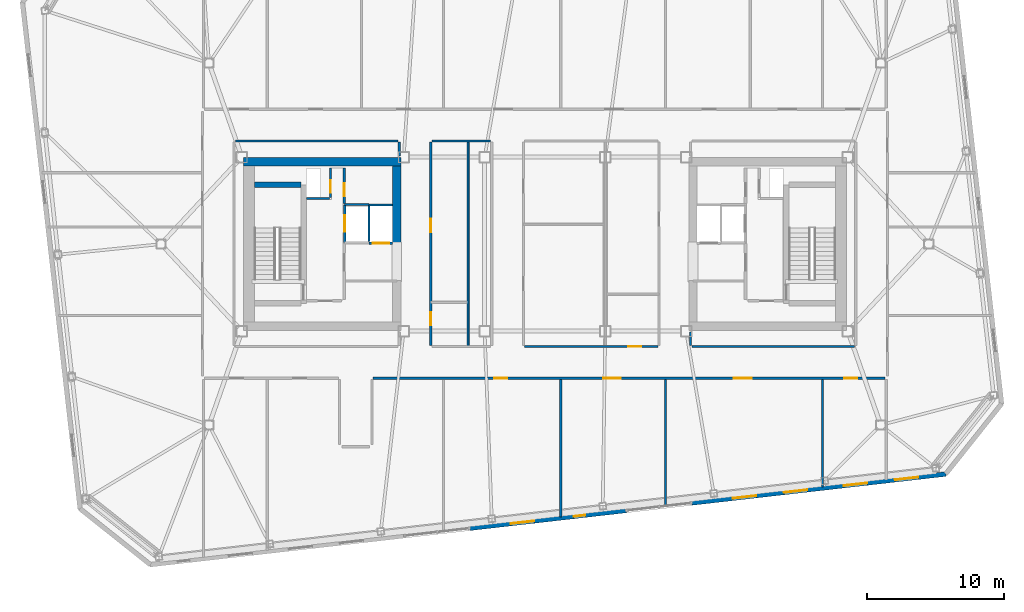
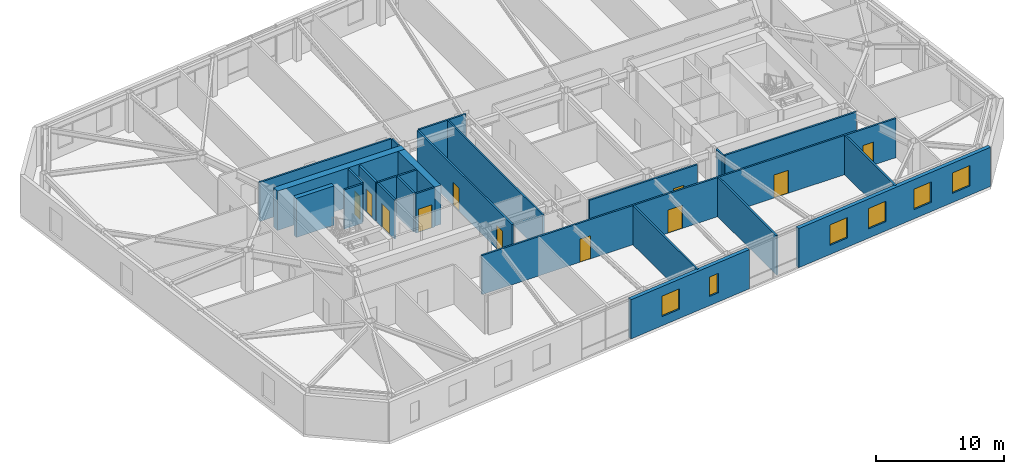
# One storey, part 13 of 19: 25 walls, 11 doors, 6 windows, 17 openings.
"""IFC4 building model written with IfcOpenShell, lengths in metres."""

from ifc_helpers import new_model, si_unit, direction, frame, frame_2d, origin, place, context, subcontext, project, spatial, rectangle, extrude, material, layer, layer_set, type_object, element, fill, save


model = new_model("IFC4")

# Units and contexts
model_context = context("Model", 3, precision=1e-05, world=origin(), true_north=direction((0.0, 1.0)))
body_context = subcontext(model_context, "Body", "Model", "MODEL_VIEW")
ifc_project = project(units=[si_unit("LENGTHUNIT", "METRE"), si_unit("AREAUNIT", "SQUARE_METRE"), si_unit("VOLUMEUNIT", "CUBIC_METRE"), si_unit("PLANEANGLEUNIT", "RADIAN"), si_unit("MASSUNIT", "GRAM", prefix="KILO")], contexts=[model_context])

# Site, building, storey
site_placement = place(None, origin())
site = spatial("IfcSite", under=ifc_project, at=site_placement, CompositionType="ELEMENT")
building_placement = place(site_placement, origin())
building = spatial("IfcBuilding", under=site, at=building_placement, Name="Tavrogorsk Clinical Tower", CompositionType="ELEMENT")
storey_placement = place(building_placement, frame((0.0, 0.0, 259.0)))
storey = spatial("IfcBuildingStorey", under=building, at=storey_placement, Name="L60", CompositionType="ELEMENT", Elevation=259.0)

# Wall, opening, door
ifc_material_1 = material(Name="Concrete B60", Category="concrete")
ifc_layer_1 = layer(ifc_material_1, 0.199951171875)
ifc_layer_set_1 = layer_set([ifc_layer_1], Name="Concrete B60")
wall_type_1 = type_object("IfcWallType", Name="CoreFireWall_200", PredefinedType="SOLIDWALL", material=ifc_layer_set_1)
wall_1_placement = place(storey_placement, frame((-14.639892578125, 2.9599609375, 0.0), z_axis=(0.0, 0.0, 1.0), x_axis=(0.0, 1.0, 0.0)))
wall_1 = element("IfcWall", 1, at=wall_1_placement, inside=storey, type_object=wall_type_1, Name="L60 Core West North Core Room East Wall", PredefinedType="SOLIDWALL", context=body_context, shape_type="SweptSolid", body=[
    extrude(rectangle(XDim=2.60009765625, YDim=0.199951171875, at=frame_2d((1.300048828125, 0.0))), origin(), (0.0, 0.0, 1.0), 3.739990234375),
])
opening_1_placement = place(wall_1_placement, frame((0.52001953125, 0.0, 0.0)))
opening_1 = element("IfcOpeningElement", 2, at=opening_1_placement, cuts=wall_1, Name="Opening ID-02", PredefinedType="OPENING", context=body_context, shape_type="SweptSolid", body=[
    extrude(rectangle(XDim=0.949951171875, YDim=2.199951171875, at=frame_2d((0.47509765625, 1.10009765625))), frame((0.0, 0.10986328125, 0.0), z_axis=(0.0, -1.0, 0.0), x_axis=(1.0, 0.0, 0.0)), (0.0, 0.0, 1.0), 0.219970703125),
])
ifc_material_2 = material(Name="Laminated timber leaf on aluminium frame", Category="wood")
door_type_1 = type_object("IfcDoorType", Name="InteriorDoor_ID02_950", OperationType="NOTDEFINED", PredefinedType="DOOR", material=ifc_material_2)
door_1_placement = place(opening_1_placement, origin())
door_1 = element("IfcDoor", 3, at=door_1_placement, inside=storey, type_object=door_type_1, Name="L60 Core West Core Telemetry Room Door", OperationType="SINGLE_SWING_LEFT", OverallHeight=2.199951171875, OverallWidth=0.949951171875, PredefinedType="DOOR", context=body_context, shape_type="SweptSolid", body=[
    extrude(rectangle(XDim=0.949951171875, YDim=2.199951171875, at=frame_2d((0.47509765625, 1.10009765625))), frame((0.0, 0.02490234375, 0.0), z_axis=(0.0, -1.0, 0.0), x_axis=(1.0, 0.0, 0.0)), (0.0, 0.0, 1.0), 0.050048828125),
])
fill(opening_1, door_1)

# Wall
ifc_material_3 = material(Name="Lightweight concrete blockwork B15", Category="masonry")
ifc_layer_2 = layer(ifc_material_3, 0.139892578125)
ifc_layer_set_2 = layer_set([ifc_layer_2], Name="Lightweight concrete blockwork B15")
wall_type_2 = type_object("IfcWallType", Name="PartitionWall_140", PredefinedType="PARTITIONING", material=ifc_layer_set_2)
wall_2_placement = place(storey_placement, frame((-5.60009765625, -7.465087890625, 0.0), z_axis=(0.0, 0.0, 1.0), x_axis=(0.0, 1.0, 0.0)))
element("IfcWall", 4, at=wall_2_placement, inside=storey, type_object=wall_type_2, Name="L60 Central Spine Partition 1", PredefinedType="PARTITIONING", context=body_context, shape_type="SweptSolid", body=[
    extrude(rectangle(XDim=14.97998046875, YDim=0.139892578125, at=frame_2d((7.489990234375, 0.0))), origin(), (0.0, 0.0, 1.0), 3.739990234375),
])

# Wall, openings, doors
ifc_material_4 = material(Name="Lightweight concrete blockwork B15", Category="masonry")
ifc_layer_3 = layer(ifc_material_4, 0.159912109375)
ifc_layer_set_3 = layer_set([ifc_layer_3], Name="Lightweight concrete blockwork B15")
wall_type_3 = type_object("IfcWallType", Name="PartitionWall_160", PredefinedType="PARTITIONING", material=ifc_layer_set_3)
wall_3_placement = place(storey_placement, frame((24.81494140625, -9.780029296875, 0.0), z_axis=(0.0, 0.0, 1.0), x_axis=(-1.0, 0.0, 0.0)))
wall_3 = element("IfcWall", 5, at=wall_3_placement, inside=storey, type_object=wall_type_3, Name="L60 Corridor Partition 04", PredefinedType="PARTITIONING", context=body_context, shape_type="SweptSolid", body=[
    extrude(rectangle(XDim=37.349853515625, YDim=0.159912109375, at=frame_2d((18.6748046875, 0.0))), origin(), (0.0, 0.0, 1.0), 3.739990234375),
])
opening_2_placement = place(wall_3_placement, frame((27.550048828125, 0.0, 0.0)))
opening_2 = element("IfcOpeningElement", 6, at=opening_2_placement, cuts=wall_3, Name="Opening ID-02", PredefinedType="OPENING", context=body_context, shape_type="SweptSolid", body=[
    extrude(rectangle(XDim=0.949951171875, YDim=2.199951171875, at=frame_2d((0.47509765625, 1.10009765625))), frame((0.0, 0.08984375, 0.0), z_axis=(0.0, -1.0, 0.0), x_axis=(1.0, 0.0, 0.0)), (0.0, 0.0, 1.0), 0.179931640625),
])
opening_3_placement = place(wall_3_placement, frame((19.27490234375, 0.0, 0.0)))
opening_3 = element("IfcOpeningElement", 7, at=opening_3_placement, cuts=wall_3, Name="Opening ID-01", PredefinedType="OPENING", context=body_context, shape_type="SweptSolid", body=[
    extrude(rectangle(XDim=1.300048828125, YDim=2.199951171875, at=frame_2d((0.64990234375, 1.10009765625))), frame((0.0, 0.08984375, 0.0), z_axis=(0.0, -1.0, 0.0), x_axis=(1.0, 0.0, 0.0)), (0.0, 0.0, 1.0), 0.179931640625),
])
opening_4_placement = place(wall_3_placement, frame((9.72509765625, 0.0, 0.0)))
opening_4 = element("IfcOpeningElement", 8, at=opening_4_placement, cuts=wall_3, Name="Opening ID-01", PredefinedType="OPENING", context=body_context, shape_type="SweptSolid", body=[
    extrude(rectangle(XDim=1.300048828125, YDim=2.199951171875, at=frame_2d((0.64990234375, 1.10009765625))), frame((0.0, 0.08984375, 0.0), z_axis=(0.0, -1.0, 0.0), x_axis=(1.0, 0.0, 0.0)), (0.0, 0.0, 1.0), 0.179931640625),
])
opening_5_placement = place(wall_3_placement, frame((2.044189453125, 0.0, 0.0)))
opening_5 = element("IfcOpeningElement", 9, at=opening_5_placement, cuts=wall_3, Name="Opening ID-02", PredefinedType="OPENING", context=body_context, shape_type="SweptSolid", body=[
    extrude(rectangle(XDim=0.949951171875, YDim=2.199951171875, at=frame_2d((0.47509765625, 1.10009765625))), frame((0.0, 0.08984375, 0.0), z_axis=(0.0, -1.0, 0.0), x_axis=(1.0, 0.0, 0.0)), (0.0, 0.0, 1.0), 0.179931640625),
])
door_2_placement = place(opening_2_placement, origin())
door_2 = element("IfcDoor", 10, at=door_2_placement, inside=storey, type_object=door_type_1, Name="L60 South Attending Physician Office 03A Door", OperationType="SINGLE_SWING_LEFT", OverallHeight=2.199951171875, OverallWidth=0.949951171875, PredefinedType="DOOR", context=body_context, shape_type="SweptSolid", body=[
    extrude(rectangle(XDim=0.949951171875, YDim=2.199951171875, at=frame_2d((0.47509765625, 1.10009765625))), frame((0.0, 0.02490234375, 0.0), z_axis=(0.0, -1.0, 0.0), x_axis=(1.0, 0.0, 0.0)), (0.0, 0.0, 1.0), 0.050048828125),
])
fill(opening_2, door_2)
door_3_placement = place(opening_5_placement, origin())
door_3 = element("IfcDoor", 11, at=door_3_placement, inside=storey, type_object=door_type_1, Name="L60 South Clean Medication & Prep Room 05 Door", OperationType="SINGLE_SWING_RIGHT", OverallHeight=2.199951171875, OverallWidth=0.949951171875, PredefinedType="DOOR", context=body_context, shape_type="SweptSolid", body=[
    extrude(rectangle(XDim=0.949951171875, YDim=2.199951171875, at=frame_2d((0.47509765625, 1.10009765625))), frame((0.0, 0.02490234375, 0.0), z_axis=(0.0, -1.0, 0.0), x_axis=(1.0, 0.0, 0.0)), (0.0, 0.0, 1.0), 0.050048828125),
])
fill(opening_5, door_3)
ifc_material_5 = material(Name="Antibacterial HPL medical leaf on aluminium frame", Category="aluminium")
door_type_2 = type_object("IfcDoorType", Name="WardBedDoor_ID01_1300", OperationType="NOTDEFINED", PredefinedType="DOOR", material=ifc_material_5)
door_4_placement = place(opening_3_placement, origin())
door_4 = element("IfcDoor", 12, at=door_4_placement, inside=storey, type_object=door_type_2, Name="L60 South Bariatric Observation Ward 03B Door", OperationType="SINGLE_SWING_RIGHT", OverallHeight=2.199951171875, OverallWidth=1.300048828125, PredefinedType="DOOR", context=body_context, shape_type="SweptSolid", body=[
    extrude(rectangle(XDim=1.300048828125, YDim=2.199951171875, at=frame_2d((0.64990234375, 1.10009765625))), frame((0.0, 0.02490234375, 0.0), z_axis=(0.0, -1.0, 0.0), x_axis=(1.0, 0.0, 0.0)), (0.0, 0.0, 1.0), 0.050048828125),
])
fill(opening_3, door_4)
door_5_placement = place(opening_4_placement, origin())
door_5 = element("IfcDoor", 13, at=door_5_placement, inside=storey, type_object=door_type_2, Name="L60 South Acute Medical Ward 04 Door", OperationType="SINGLE_SWING_LEFT", OverallHeight=2.199951171875, OverallWidth=1.300048828125, PredefinedType="DOOR", context=body_context, shape_type="SweptSolid", body=[
    extrude(rectangle(XDim=1.300048828125, YDim=2.199951171875, at=frame_2d((0.64990234375, 1.10009765625))), frame((0.0, 0.02490234375, 0.0), z_axis=(0.0, -1.0, 0.0), x_axis=(1.0, 0.0, 0.0)), (0.0, 0.0, 1.0), 0.050048828125),
])
fill(opening_4, door_5)

# Walls
wall_4_placement = place(storey_placement, frame((10.6298828125, -6.419921875, 0.0), z_axis=(0.0, 0.0, 1.0), x_axis=(0.0, -1.0, 0.0)))
element("IfcWall", 14, at=wall_4_placement, inside=storey, type_object=wall_type_3, Name="L60 Corridor Partition 11", PredefinedType="PARTITIONING", context=body_context, shape_type="SweptSolid", body=[
    extrude(rectangle(XDim=0.965087890625, YDim=0.159912109375, at=frame_2d((0.482421875, 0.0))), origin(), (0.0, 0.0, 1.0), 3.739990234375),
])
wall_5_placement = place(storey_placement, frame((10.715087890625, -7.469970703125, 0.0), z_axis=(0.0, 0.0, 1.0), x_axis=(1.0, 0.0, 0.0)))
element("IfcWall", 15, at=wall_5_placement, inside=storey, type_object=wall_type_3, Name="L60 Corridor Partition 12", PredefinedType="PARTITIONING", context=body_context, shape_type="SweptSolid", body=[
    extrude(rectangle(XDim=11.869873046875, YDim=0.159912109375, at=frame_2d((5.93505859375, 0.0))), origin(), (0.0, 0.0, 1.0), 3.739990234375),
])

# Wall, opening, door
wall_6_placement = place(storey_placement, frame((-1.485107421875, -7.469970703125, 0.0), z_axis=(0.0, 0.0, 1.0), x_axis=(1.0, 0.0, 0.0)))
wall_6 = element("IfcWall", 16, at=wall_6_placement, inside=storey, type_object=wall_type_3, Name="L60 Corridor Partition 16", PredefinedType="PARTITIONING", context=body_context, shape_type="SweptSolid", body=[
    extrude(rectangle(XDim=9.72021484375, YDim=0.159912109375, at=frame_2d((4.860107421875, 0.0))), origin(), (0.0, 0.0, 1.0), 3.739990234375),
])
opening_6_placement = place(wall_6_placement, frame((7.560791015625, 0.0, 0.0)))
opening_6 = element("IfcOpeningElement", 17, at=opening_6_placement, cuts=wall_6, Name="Opening ID-02", PredefinedType="OPENING", context=body_context, shape_type="SweptSolid", body=[
    extrude(rectangle(XDim=0.949951171875, YDim=2.199951171875, at=frame_2d((0.47509765625, 1.10009765625))), frame((0.0, 0.08984375, 0.0), z_axis=(0.0, -1.0, 0.0), x_axis=(1.0, 0.0, 0.0)), (0.0, 0.0, 1.0), 0.179931640625),
])
door_6_placement = place(opening_6_placement, origin())
door_6 = element("IfcDoor", 18, at=door_6_placement, inside=storey, type_object=door_type_1, Name="L60 Staff & Visitor Accessible WC Door", OperationType="SINGLE_SWING_LEFT", OverallHeight=2.199951171875, OverallWidth=0.949951171875, PredefinedType="DOOR", context=body_context, shape_type="SweptSolid", body=[
    extrude(rectangle(XDim=0.949951171875, YDim=2.199951171875, at=frame_2d((0.47509765625, 1.10009765625))), frame((0.0, 0.02490234375, 0.0), z_axis=(0.0, -1.0, 0.0), x_axis=(1.0, 0.0, 0.0)), (0.0, 0.0, 1.0), 0.050048828125),
])
fill(opening_6, door_6)

# Wall
wall_7_placement = place(storey_placement, frame((-3.965087890625, 7.52001953125, 0.0), z_axis=(0.0, 0.0, 1.0), x_axis=(-1.0, 0.0, 0.0)))
element("IfcWall", 19, at=wall_7_placement, inside=storey, type_object=wall_type_3, Name="L60 Corridor Partition 19", PredefinedType="PARTITIONING", context=body_context, shape_type="SweptSolid", body=[
    extrude(rectangle(XDim=4.27001953125, YDim=0.159912109375, at=frame_2d((2.135009765625, 0.0))), origin(), (0.0, 0.0, 1.0), 3.739990234375),
])

# Wall, openings, doors
wall_8_placement = place(storey_placement, frame((-8.320068359375, 7.43505859375, 0.0), z_axis=(0.0, 0.0, 1.0), x_axis=(0.0, -1.0, 0.0)))
wall_8 = element("IfcWall", 20, at=wall_8_placement, inside=storey, type_object=wall_type_3, Name="L60 Corridor Partition 20", PredefinedType="PARTITIONING", context=body_context, shape_type="SweptSolid", body=[
    extrude(rectangle(XDim=14.820068359375, YDim=0.159912109375, at=frame_2d((7.41015625, 0.0))), origin(), (0.0, 0.0, 1.0), 3.739990234375),
])
opening_7_placement = place(wall_8_placement, frame((12.410888671875, 0.0, 0.0)))
opening_7 = element("IfcOpeningElement", 21, at=opening_7_placement, cuts=wall_8, Name="Opening ID-02", PredefinedType="OPENING", context=body_context, shape_type="SweptSolid", body=[
    extrude(rectangle(XDim=0.949951171875, YDim=2.199951171875, at=frame_2d((0.47509765625, 1.10009765625))), frame((0.0, 0.08984375, 0.0), z_axis=(0.0, -1.0, 0.0), x_axis=(1.0, 0.0, 0.0)), (0.0, 0.0, 1.0), 0.179931640625),
])
opening_8_placement = place(wall_8_placement, frame((5.60400390625, 0.0, 0.0)))
opening_8 = element("IfcOpeningElement", 22, at=opening_8_placement, cuts=wall_8, Name="Opening ID-02", PredefinedType="OPENING", context=body_context, shape_type="SweptSolid", body=[
    extrude(rectangle(XDim=0.949951171875, YDim=2.199951171875, at=frame_2d((0.47509765625, 1.10009765625))), frame((0.0, 0.08984375, 0.0), z_axis=(0.0, -1.0, 0.0), x_axis=(1.0, 0.0, 0.0)), (0.0, 0.0, 1.0), 0.179931640625),
])
door_7_placement = place(opening_7_placement, origin())
door_7 = element("IfcDoor", 23, at=door_7_placement, inside=storey, type_object=door_type_1, Name="L60 Accessible Patient Lavatory Door", OperationType="SINGLE_SWING_LEFT", OverallHeight=2.199951171875, OverallWidth=0.949951171875, PredefinedType="DOOR", context=body_context, shape_type="SweptSolid", body=[
    extrude(rectangle(XDim=0.949951171875, YDim=2.199951171875, at=frame_2d((0.47509765625, 1.10009765625))), frame((0.0, 0.02490234375, 0.0), z_axis=(0.0, -1.0, 0.0), x_axis=(1.0, 0.0, 0.0)), (0.0, 0.0, 1.0), 0.050048828125),
])
fill(opening_7, door_7)
door_8_placement = place(opening_8_placement, origin())
door_8 = element("IfcDoor", 24, at=door_8_placement, inside=storey, type_object=door_type_1, Name="L60 Ward Nourishment Pantry Door", OperationType="SINGLE_SWING_RIGHT", OverallHeight=2.199951171875, OverallWidth=0.949951171875, PredefinedType="DOOR", context=body_context, shape_type="SweptSolid", body=[
    extrude(rectangle(XDim=0.949951171875, YDim=2.199951171875, at=frame_2d((0.47509765625, 1.10009765625))), frame((0.0, 0.02490234375, 0.0), z_axis=(0.0, -1.0, 0.0), x_axis=(1.0, 0.0, 0.0)), (0.0, 0.0, 1.0), 0.050048828125),
])
fill(opening_8, door_8)

# Walls
wall_9_placement = place(storey_placement, frame((-10.6298828125, 6.419921875, 0.0), z_axis=(0.0, 0.0, 1.0), x_axis=(0.0, 1.0, 0.0)))
element("IfcWall", 25, at=wall_9_placement, inside=storey, type_object=wall_type_3, Name="L60 Corridor Partition 23", PredefinedType="PARTITIONING", context=body_context, shape_type="SweptSolid", body=[
    extrude(rectangle(XDim=1.01513671875, YDim=0.159912109375, at=frame_2d((0.507568359375, 0.0))), origin(), (0.0, 0.0, 1.0), 3.739990234375),
])
wall_10_placement = place(storey_placement, frame((-10.715087890625, 7.52001953125, 0.0), z_axis=(0.0, 0.0, 1.0), x_axis=(-1.0, 0.0, 0.0)))
element("IfcWall", 26, at=wall_10_placement, inside=storey, type_object=wall_type_3, Name="L60 Corridor Partition 24", PredefinedType="PARTITIONING", context=body_context, shape_type="SweptSolid", body=[
    extrude(rectangle(XDim=11.869873046875, YDim=0.159912109375, at=frame_2d((5.93505859375, 0.0))), origin(), (0.0, 0.0, 1.0), 3.739990234375),
])
wall_11_placement = place(storey_placement, frame((8.800048828125, -19.03369140625, 0.0), z_axis=(0.0, 0.0, 1.0), x_axis=(0.0, 1.0, 0.0)))
element("IfcWall", 27, at=wall_11_placement, inside=storey, type_object=wall_type_3, Name="L60 South Room Partition 3", PredefinedType="PARTITIONING", context=body_context, shape_type="SweptSolid", body=[
    extrude(rectangle(XDim=9.168701171875, YDim=0.159912109375, at=frame_2d((4.58447265625, 0.0))), origin(), (0.0, 0.0, 1.0), 3.739990234375),
])
wall_12_placement = place(storey_placement, frame((20.25, -17.729248046875, 0.0), z_axis=(0.0, 0.0, 1.0), x_axis=(0.0, 1.0, 0.0)))
element("IfcWall", 28, at=wall_12_placement, inside=storey, type_object=wall_type_3, Name="L60 South Room Partition 4", PredefinedType="PARTITIONING", context=body_context, shape_type="SweptSolid", body=[
    extrude(rectangle(XDim=7.8642578125, YDim=0.159912109375, at=frame_2d((3.93212890625, 0.0))), origin(), (0.0, 0.0, 1.0), 3.739990234375),
])
wall_13_placement = place(storey_placement, frame((1.14990234375, -19.905517578125, 0.0), z_axis=(0.0, 0.0, 1.0), x_axis=(0.0, 1.0, 0.0)))
element("IfcWall", 29, at=wall_13_placement, inside=storey, type_object=wall_type_3, Name="L60 South Sub-Partition 3", PredefinedType="PARTITIONING", context=body_context, shape_type="SweptSolid", body=[
    extrude(rectangle(XDim=10.04052734375, YDim=0.159912109375, at=frame_2d((5.020263671875, 0.0))), origin(), (0.0, 0.0, 1.0), 3.739990234375),
])

# Wall, openings, windows
ifc_material_6 = material(Name="Precast concrete B45 with limestone cladding", Category="masonry")
ifc_layer_4 = layer(ifc_material_6, 0.340087890625)
ifc_layer_set_4 = layer_set([ifc_layer_4], Name="Precast concrete B45 with limestone cladding")
wall_type_4 = type_object("IfcWallType", Name="PrecastLimestoneWall_340", PredefinedType="STANDARD", material=ifc_layer_set_4)
wall_14_placement = place(storey_placement, frame((-5.48193359375, -20.7314453125, 0.0), z_axis=(0.0, 0.0, 1.0), x_axis=(0.993571968199, 0.113202226169, 0.0)))
wall_14 = element("IfcWall", 30, at=wall_14_placement, inside=storey, type_object=wall_type_4, Name="L60 S Limestone Facade Wall 2", PredefinedType="STANDARD", context=body_context, shape_type="SweptSolid", body=[
    extrude(rectangle(XDim=11.497314453125, YDim=0.340087890625, at=frame_2d((5.74853515625, 0.0))), origin(), (0.0, 0.0, 1.0), 3.739990234375),
])
opening_9_placement = place(wall_14_placement, frame((3.0244140625, 0.0, 0.8798828125)))
opening_9 = element("IfcOpeningElement", 31, at=opening_9_placement, cuts=wall_14, Name="Opening WN-15", PredefinedType="OPENING", context=body_context, shape_type="SweptSolid", body=[
    extrude(rectangle(XDim=1.699951171875, YDim=1.949951171875, at=frame_2d((0.85009765625, 0.97509765625))), frame((0.0, 0.179931640625, 0.0), z_axis=(0.0, -1.0, 0.0), x_axis=(1.0, 0.0, 0.0)), (0.0, 0.0, 1.0), 0.360107421875),
])
opening_10_placement = place(wall_14_placement, frame((7.622802734375, 0.0, 0.8798828125)))
opening_10 = element("IfcOpeningElement", 32, at=opening_10_placement, cuts=wall_14, Name="Opening WN-06", PredefinedType="OPENING", context=body_context, shape_type="SweptSolid", body=[
    extrude(rectangle(XDim=0.85009765625, YDim=1.85009765625, at=frame_2d((0.425048828125, 0.925048828125))), frame((0.0, 0.179931640625, 0.0), z_axis=(0.0, -1.0, 0.0), x_axis=(1.0, 0.0, 0.0)), (0.0, 0.0, 1.0), 0.360107421875),
])
ifc_material_7 = material(Name="Thermally broken aluminium frame and triple IGU", Category="aluminium")
window_type_1 = type_object("IfcWindowType", Name="MullionSubWin_850x1850", PartitioningType="SINGLE_PANEL", PredefinedType="WINDOW", material=ifc_material_7)
window_1_placement = place(opening_10_placement, origin())
window_1 = element("IfcWindow", 33, at=window_1_placement, inside=storey, type_object=window_type_1, Name="L60 S Mullion Split Window 06B", OverallHeight=1.85009765625, OverallWidth=0.85009765625, PartitioningType="SINGLE_PANEL", PredefinedType="WINDOW", context=body_context, shape_type="SweptSolid", body=[
    extrude(rectangle(XDim=0.85009765625, YDim=1.85009765625, at=frame_2d((0.425048828125, 0.925048828125))), frame((0.0, 0.030029296875, 0.0), z_axis=(0.0, -1.0, 0.0), x_axis=(1.0, 0.0, 0.0)), (0.0, 0.0, 1.0), 0.06005859375),
])
fill(opening_10, window_1)
ifc_material_8 = material(Name="Thermally broken aluminium frame and triple IGU", Category="aluminium")
window_type_2 = type_object("IfcWindowType", Name="OfficeChicagoWin_1700x1950", PartitioningType="SINGLE_PANEL", PredefinedType="WINDOW", material=ifc_material_8)
window_2_placement = place(opening_9_placement, origin())
window_2 = element("IfcWindow", 34, at=window_2_placement, inside=storey, type_object=window_type_2, Name="L60 S Chicago Window 05", OverallHeight=1.949951171875, OverallWidth=1.699951171875, PartitioningType="SINGLE_PANEL", PredefinedType="WINDOW", context=body_context, shape_type="SweptSolid", body=[
    extrude(rectangle(XDim=1.699951171875, YDim=1.949951171875, at=frame_2d((0.85009765625, 0.97509765625))), frame((0.0, 0.030029296875, 0.0), z_axis=(0.0, -1.0, 0.0), x_axis=(1.0, 0.0, 0.0)), (0.0, 0.0, 1.0), 0.06005859375),
])
fill(opening_9, window_2)

wall_15_placement = place(storey_placement, frame((10.71044921875, -18.886474609375, 0.0), z_axis=(0.0, 0.0, 1.0), x_axis=(0.993572271362, 0.113199565282, 0.0)))
wall_15 = element("IfcWall", 35, at=wall_15_placement, inside=storey, type_object=wall_type_4, Name="L60 S Limestone Facade Wall 3", PredefinedType="STANDARD", context=body_context, shape_type="SweptSolid", body=[
    extrude(rectangle(XDim=18.6513671875, YDim=0.340087890625, at=frame_2d((9.32568359375, 0.0))), origin(), (0.0, 0.0, 1.0), 3.739990234375),
])
opening_11_placement = place(wall_15_placement, frame((3.0244140625, 0.0, 0.8798828125)))
opening_11 = element("IfcOpeningElement", 36, at=opening_11_placement, cuts=wall_15, Name="Opening WN-15", PredefinedType="OPENING", context=body_context, shape_type="SweptSolid", body=[
    extrude(rectangle(XDim=1.699951171875, YDim=1.949951171875, at=frame_2d((0.85009765625, 0.97509765625))), frame((0.0, 0.179931640625, 0.0), z_axis=(0.0, -1.0, 0.0), x_axis=(1.0, 0.0, 0.0)), (0.0, 0.0, 1.0), 0.360107421875),
])
opening_12_placement = place(wall_15_placement, frame((6.772705078125, 0.0, 0.8798828125)))
opening_12 = element("IfcOpeningElement", 37, at=opening_12_placement, cuts=wall_15, Name="Opening WN-15", PredefinedType="OPENING", context=body_context, shape_type="SweptSolid", body=[
    extrude(rectangle(XDim=1.699951171875, YDim=1.949951171875, at=frame_2d((0.85009765625, 0.97509765625))), frame((0.0, 0.179931640625, 0.0), z_axis=(0.0, -1.0, 0.0), x_axis=(1.0, 0.0, 0.0)), (0.0, 0.0, 1.0), 0.360107421875),
])
opening_13_placement = place(wall_15_placement, frame((11.1728515625, 0.0, 0.8798828125)))
opening_13 = element("IfcOpeningElement", 38, at=opening_13_placement, cuts=wall_15, Name="Opening WN-15", PredefinedType="OPENING", context=body_context, shape_type="SweptSolid", body=[
    extrude(rectangle(XDim=1.699951171875, YDim=1.949951171875, at=frame_2d((0.85009765625, 0.97509765625))), frame((0.0, 0.179931640625, 0.0), z_axis=(0.0, -1.0, 0.0), x_axis=(1.0, 0.0, 0.0)), (0.0, 0.0, 1.0), 0.360107421875),
])
opening_14_placement = place(wall_15_placement, frame((14.921142578125, 0.0, 0.8798828125)))
opening_14 = element("IfcOpeningElement", 39, at=opening_14_placement, cuts=wall_15, Name="Opening WN-15", PredefinedType="OPENING", context=body_context, shape_type="SweptSolid", body=[
    extrude(rectangle(XDim=1.699951171875, YDim=1.949951171875, at=frame_2d((0.85009765625, 0.97509765625))), frame((0.0, 0.179931640625, 0.0), z_axis=(0.0, -1.0, 0.0), x_axis=(1.0, 0.0, 0.0)), (0.0, 0.0, 1.0), 0.360107421875),
])
window_3_placement = place(opening_11_placement, origin())
window_3 = element("IfcWindow", 40, at=window_3_placement, inside=storey, type_object=window_type_2, Name="L60 S Chicago Window 07", OverallHeight=1.949951171875, OverallWidth=1.699951171875, PartitioningType="SINGLE_PANEL", PredefinedType="WINDOW", context=body_context, shape_type="SweptSolid", body=[
    extrude(rectangle(XDim=1.699951171875, YDim=1.949951171875, at=frame_2d((0.85009765625, 0.97509765625))), frame((0.0, 0.030029296875, 0.0), z_axis=(0.0, -1.0, 0.0), x_axis=(1.0, 0.0, 0.0)), (0.0, 0.0, 1.0), 0.06005859375),
])
fill(opening_11, window_3)
window_4_placement = place(opening_12_placement, origin())
window_4 = element("IfcWindow", 41, at=window_4_placement, inside=storey, type_object=window_type_2, Name="L60 S Chicago Window 08", OverallHeight=1.949951171875, OverallWidth=1.699951171875, PartitioningType="SINGLE_PANEL", PredefinedType="WINDOW", context=body_context, shape_type="SweptSolid", body=[
    extrude(rectangle(XDim=1.699951171875, YDim=1.949951171875, at=frame_2d((0.85009765625, 0.97509765625))), frame((0.0, 0.030029296875, 0.0), z_axis=(0.0, -1.0, 0.0), x_axis=(1.0, 0.0, 0.0)), (0.0, 0.0, 1.0), 0.06005859375),
])
fill(opening_12, window_4)
window_5_placement = place(opening_13_placement, origin())
window_5 = element("IfcWindow", 42, at=window_5_placement, inside=storey, type_object=window_type_2, Name="L60 S Chicago Window 09", OverallHeight=1.949951171875, OverallWidth=1.699951171875, PartitioningType="SINGLE_PANEL", PredefinedType="WINDOW", context=body_context, shape_type="SweptSolid", body=[
    extrude(rectangle(XDim=1.699951171875, YDim=1.949951171875, at=frame_2d((0.85009765625, 0.97509765625))), frame((0.0, 0.030029296875, 0.0), z_axis=(0.0, -1.0, 0.0), x_axis=(1.0, 0.0, 0.0)), (0.0, 0.0, 1.0), 0.06005859375),
])
fill(opening_13, window_5)
window_6_placement = place(opening_14_placement, origin())
window_6 = element("IfcWindow", 43, at=window_6_placement, inside=storey, type_object=window_type_2, Name="L60 S Chicago Window 10", OverallHeight=1.949951171875, OverallWidth=1.699951171875, PartitioningType="SINGLE_PANEL", PredefinedType="WINDOW", context=body_context, shape_type="SweptSolid", body=[
    extrude(rectangle(XDim=1.699951171875, YDim=1.949951171875, at=frame_2d((0.85009765625, 0.97509765625))), frame((0.0, 0.030029296875, 0.0), z_axis=(0.0, -1.0, 0.0), x_axis=(1.0, 0.0, 0.0)), (0.0, 0.0, 1.0), 0.06005859375),
])
fill(opening_14, window_6)

# Wall, opening, door
ifc_material_9 = material(Name="Lightweight concrete blockwork B25", Category="masonry")
ifc_layer_5 = layer(ifc_material_9, 0.159912109375)
ifc_layer_set_5 = layer_set([ifc_layer_5], Name="Lightweight concrete blockwork B25")
wall_type_5 = type_object("IfcWallType", Name="ShaftWall_160", PredefinedType="PARTITIONING", material=ifc_layer_set_5)
wall_16_placement = place(storey_placement, frame((-14.60009765625, 0.1201171875, 0.0), z_axis=(0.0, 0.0, 1.0), x_axis=(0.0, 1.0, 0.0)))
wall_16 = element("IfcWall", 44, at=wall_16_placement, inside=storey, type_object=wall_type_5, Name="L60 FFL-W Firefighting Lift Front Wall", PredefinedType="PARTITIONING", context=body_context, shape_type="SweptSolid", body=[
    extrude(rectangle(XDim=2.739990234375, YDim=0.159912109375, at=frame_2d((1.3701171875, 0.0))), origin(), (0.0, 0.0, 1.0), 3.739990234375),
])
opening_15_placement = place(wall_16_placement, frame((0.77001953125, 0.0, 0.0)))
opening_15 = element("IfcOpeningElement", 45, at=opening_15_placement, cuts=wall_16, Name="Opening LD", PredefinedType="OPENING", context=body_context, shape_type="SweptSolid", body=[
    extrude(rectangle(XDim=1.199951171875, YDim=2.199951171875, at=frame_2d((0.60009765625, 1.10009765625))), frame((0.0, 0.08984375, 0.0), z_axis=(0.0, -1.0, 0.0), x_axis=(1.0, 0.0, 0.0)), (0.0, 0.0, 1.0), 0.179931640625),
])
ifc_material_10 = material(Name="Brushed stainless steel AISI 304 sliding doors", Category="steel")
door_type_3 = type_object("IfcDoorType", Name="LiftLandingDoor_LD_1200", OperationType="SLIDING_TO_LEFT", PredefinedType="DOOR", material=ifc_material_10)
door_9_placement = place(opening_15_placement, origin())
door_9 = element("IfcDoor", 46, at=door_9_placement, inside=storey, type_object=door_type_3, Name="L60 FFL-W Sliding Lift Landing Door", OperationType="SLIDING_TO_LEFT", OverallHeight=2.199951171875, OverallWidth=1.199951171875, PredefinedType="DOOR", context=body_context, shape_type="SweptSolid", body=[
    extrude(rectangle(XDim=1.199951171875, YDim=2.199951171875, at=frame_2d((0.60009765625, 1.10009765625))), frame((0.0, 0.02490234375, 0.0), z_axis=(0.0, -1.0, 0.0), x_axis=(1.0, 0.0, 0.0)), (0.0, 0.0, 1.0), 0.050048828125),
])
fill(opening_15, door_9)

# Walls
wall_17_placement = place(storey_placement, frame((-14.60009765625, 2.8798828125, 0.0), z_axis=(0.0, 0.0, 1.0), x_axis=(1.0, 0.0, 0.0)))
element("IfcWall", 47, at=wall_17_placement, inside=storey, type_object=wall_type_5, Name="L60 FFL-W Shaft North Wall", PredefinedType="PARTITIONING", context=body_context, shape_type="SweptSolid", body=[
    extrude(rectangle(XDim=1.760009765625, YDim=0.159912109375, at=frame_2d((0.8798828125, 0.0))), origin(), (0.0, 0.0, 1.0), 3.739990234375),
])
wall_18_placement = place(storey_placement, frame((-12.840087890625, 0.179931640625, 0.0), z_axis=(0.0, 0.0, 1.0), x_axis=(0.0, 1.0, 0.0)))
element("IfcWall", 48, at=wall_18_placement, inside=storey, type_object=wall_type_5, Name="L60 FFL-W Shaft Back Wall", PredefinedType="PARTITIONING", context=body_context, shape_type="SweptSolid", body=[
    extrude(rectangle(XDim=2.6201171875, YDim=0.159912109375, at=frame_2d((1.31005859375, 0.0))), origin(), (0.0, 0.0, 1.0), 3.739990234375),
])

# Wall, opening, door
wall_19_placement = place(storey_placement, frame((-12.820068359375, 0.06005859375, 0.0), z_axis=(0.0, 0.0, 1.0), x_axis=(1.0, 0.0, 0.0)))
wall_19 = element("IfcWall", 49, at=wall_19_placement, inside=storey, type_object=wall_type_5, Name="L60 LP-H1 High-Zone Lift Portal Wall", PredefinedType="PARTITIONING", context=body_context, shape_type="SweptSolid", body=[
    extrude(rectangle(XDim=1.719970703125, YDim=0.159912109375, at=frame_2d((0.85986328125, 0.0))), origin(), (0.0, 0.0, 1.0), 3.739990234375),
])
opening_16_placement = place(wall_19_placement, frame((0.260009765625, 0.0, 0.0)))
opening_16 = element("IfcOpeningElement", 50, at=opening_16_placement, cuts=wall_19, Name="Opening LD", PredefinedType="OPENING", context=body_context, shape_type="SweptSolid", body=[
    extrude(rectangle(XDim=1.199951171875, YDim=2.199951171875, at=frame_2d((0.60009765625, 1.10009765625))), frame((0.0, 0.08984375, 0.0), z_axis=(0.0, -1.0, 0.0), x_axis=(1.0, 0.0, 0.0)), (0.0, 0.0, 1.0), 0.179931640625),
])
door_10_placement = place(opening_16_placement, origin())
door_10 = element("IfcDoor", 51, at=door_10_placement, inside=storey, type_object=door_type_3, Name="L60 LP-H1 Sliding Lift Landing Door", OperationType="SLIDING_TO_LEFT", OverallHeight=2.199951171875, OverallWidth=1.199951171875, PredefinedType="DOOR", context=body_context, shape_type="SweptSolid", body=[
    extrude(rectangle(XDim=1.199951171875, YDim=2.199951171875, at=frame_2d((0.60009765625, 1.10009765625))), frame((0.0, 0.02490234375, 0.0), z_axis=(0.0, -1.0, 0.0), x_axis=(1.0, 0.0, 0.0)), (0.0, 0.0, 1.0), 0.050048828125),
])
fill(opening_16, door_10)

# Wall
wall_20_placement = place(storey_placement, frame((-12.820068359375, 2.860107421875, 0.0), z_axis=(0.0, 0.0, 1.0), x_axis=(1.0, 0.0, 0.0)))
element("IfcWall", 52, at=wall_20_placement, inside=storey, type_object=wall_type_5, Name="L60 LP-H1 High-Zone Lift Rear Wall", PredefinedType="PARTITIONING", context=body_context, shape_type="SweptSolid", body=[
    extrude(rectangle(XDim=1.719970703125, YDim=0.159912109375, at=frame_2d((0.85986328125, 0.0))), origin(), (0.0, 0.0, 1.0), 3.739990234375),
])

# Wall, opening, door
wall_21_placement = place(storey_placement, frame((-15.639892578125, 3.405029296875, 0.0), z_axis=(0.0, 0.0, 1.0), x_axis=(0.0, 1.0, 0.0)))
wall_21 = element("IfcWall", 53, at=wall_21_placement, inside=storey, type_object=wall_type_5, Name="L60 Core West Riser West Wall", PredefinedType="PARTITIONING", context=body_context, shape_type="SweptSolid", body=[
    extrude(rectangle(XDim=2.155029296875, YDim=0.159912109375, at=frame_2d((1.07763671875, 0.0))), origin(), (0.0, 0.0, 1.0), 3.739990234375),
])
opening_17_placement = place(wall_21_placement, frame((0.35009765625, 0.0, 0.0)))
opening_17 = element("IfcOpeningElement", 54, at=opening_17_placement, cuts=wall_21, Name="Opening FD-02", PredefinedType="OPENING", context=body_context, shape_type="SweptSolid", body=[
    extrude(rectangle(XDim=0.89990234375, YDim=2.199951171875, at=frame_2d((0.449951171875, 1.10009765625))), frame((0.0, 0.08984375, 0.0), z_axis=(0.0, -1.0, 0.0), x_axis=(1.0, 0.0, 0.0)), (0.0, 0.0, 1.0), 0.179931640625),
])
ifc_material_11 = material(Name="Galvanised steel fire-rated door assembly", Category="steel")
door_type_4 = type_object("IfcDoorType", Name="FireDoor_FD02_900", OperationType="NOTDEFINED", PredefinedType="DOOR", material=ifc_material_11)
door_11_placement = place(opening_17_placement, origin())
door_11 = element("IfcDoor", 55, at=door_11_placement, inside=storey, type_object=door_type_4, Name="L60 Core West Electrical Riser Access Door", OperationType="SINGLE_SWING_LEFT", OverallHeight=2.199951171875, OverallWidth=0.89990234375, PredefinedType="DOOR", context=body_context, shape_type="SweptSolid", body=[
    extrude(rectangle(XDim=0.89990234375, YDim=2.199951171875, at=frame_2d((0.449951171875, 1.10009765625))), frame((0.0, 0.02490234375, 0.0), z_axis=(0.0, -1.0, 0.0), x_axis=(1.0, 0.0, 0.0)), (0.0, 0.0, 1.0), 0.050048828125),
])
fill(opening_17, door_11)

# Walls
wall_22_placement = place(storey_placement, frame((-17.3798828125, 3.320068359375, 0.0), z_axis=(0.0, 0.0, 1.0), x_axis=(1.0, 0.0, 0.0)))
element("IfcWall", 56, at=wall_22_placement, inside=storey, type_object=wall_type_5, Name="L60 Core West Riser South Wall", PredefinedType="PARTITIONING", context=body_context, shape_type="SweptSolid", body=[
    extrude(rectangle(XDim=1.65478515625, YDim=0.159912109375, at=frame_2d((0.827392578125, 0.0))), origin(), (0.0, 0.0, 1.0), 3.739990234375),
])
ifc_material_12 = material(Name="Concrete B80", Category="concrete")
ifc_layer_6 = layer(ifc_material_12, 0.39990234375)
ifc_layer_set_6 = layer_set([ifc_layer_6], Name="Concrete B80")
wall_type_6 = type_object("IfcWallType", Name="ShearWall_400", PredefinedType="SHEAR", material=ifc_layer_set_6)
wall_23_placement = place(storey_placement, frame((-21.199951171875, 4.324951171875, 0.0), z_axis=(0.0, 0.0, 1.0), x_axis=(1.0, 0.0, 0.0)))
element("IfcWall", 57, at=wall_23_placement, inside=storey, type_object=wall_type_6, Name="L60 Core West Stair Shaft North Shear Wall", PredefinedType="SHEAR", context=body_context, shape_type="SweptSolid", body=[
    extrude(rectangle(XDim=3.39990234375, YDim=0.39990234375, at=frame_2d((1.699951171875, 0.0))), origin(), (0.0, 0.0, 1.0), 3.739990234375),
])
ifc_material_13 = material(Name="Concrete B80", Category="concrete")
ifc_layer_7 = layer(ifc_material_13, 0.60009765625)
ifc_layer_set_7 = layer_set([ifc_layer_7], Name="Concrete B80")
wall_type_7 = type_object("IfcWallType", Name="ShearWall_600", PredefinedType="SHEAR", material=ifc_layer_set_7)
wall_24_placement = place(storey_placement, frame((-22.0, 6.0, 0.0), z_axis=(0.0, 0.0, 1.0), x_axis=(1.0, 0.0, 0.0)))
element("IfcWall", 58, at=wall_24_placement, inside=storey, type_object=wall_type_7, Name="L60 Core West North Shear Wall", PredefinedType="SHEAR", context=body_context, shape_type="SweptSolid", body=[
    extrude(rectangle(XDim=11.5, YDim=0.60009765625, at=frame_2d((5.75, 0.0))), origin(), (0.0, 0.0, 1.0), 3.739990234375),
])
wall_25_placement = place(storey_placement, frame((-10.800048828125, 0.050048828125, 0.0), z_axis=(0.0, 0.0, 1.0), x_axis=(0.0, 1.0, 0.0)))
element("IfcWall", 59, at=wall_25_placement, inside=storey, type_object=wall_type_7, Name="L60 Core West Inner North Pier", PredefinedType="SHEAR", context=body_context, shape_type="SweptSolid", body=[
    extrude(rectangle(XDim=5.64990234375, YDim=0.60009765625, at=frame_2d((2.824951171875, 0.0))), origin(), (0.0, 0.0, 1.0), 3.739990234375),
])

save(model, "model.ifc")
